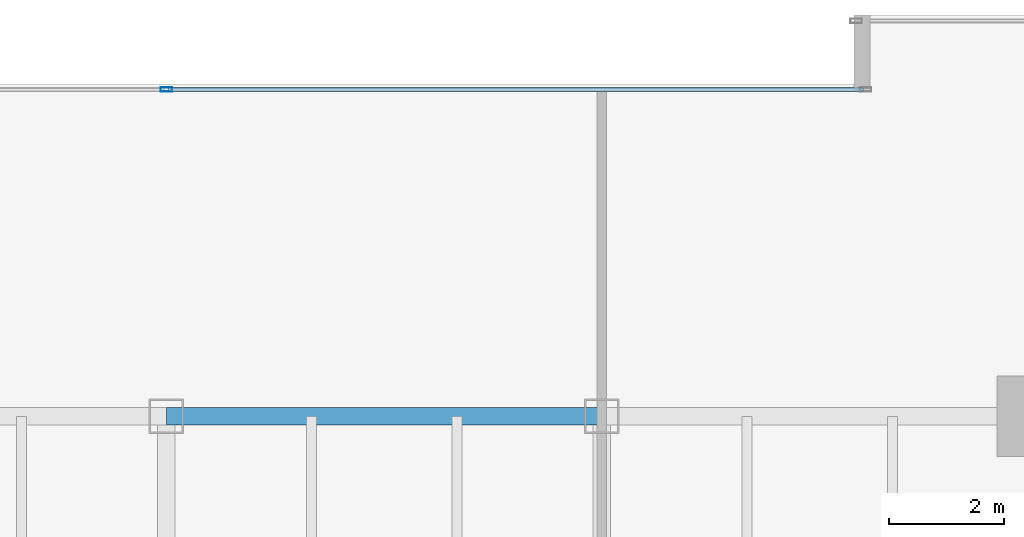
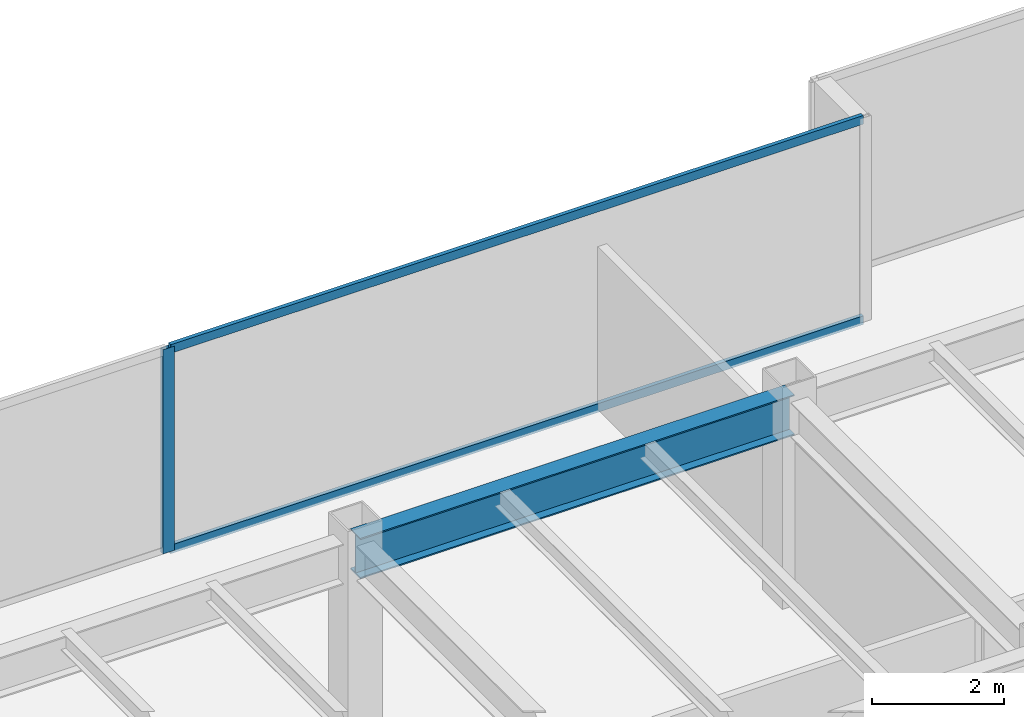
# One storey, part 18 of 35: 3 members, 1 beam, 1 element without a shape of its own.
"""IFC4 building model written with IfcOpenShell, lengths in metres."""

from ifc_helpers import new_model, si_unit, direction, frame, origin, origin_2d, place, context, subcontext, project, spatial, hollow_rectangle, i_section, extrude, source, transform, mapped, material, layer, layer_set, material_profile, profile_set, type_object, type_shapes, element, aggregate, save


model = new_model("IFC4")

# Units and contexts
model_context = context("Model", 3, precision=1e-05, world=origin(), true_north=direction((0.0, 1.0)))
body_context = subcontext(model_context, "Body", "Model", "MODEL_VIEW")
ifc_project = project(units=[si_unit("LENGTHUNIT", "METRE"), si_unit("AREAUNIT", "SQUARE_METRE"), si_unit("VOLUMEUNIT", "CUBIC_METRE"), si_unit("PLANEANGLEUNIT", "RADIAN"), si_unit("MASSUNIT", "GRAM", prefix="KILO")], contexts=[model_context])

# Site, building, storey
site_placement = place(None, origin())
site = spatial("IfcSite", under=ifc_project, at=site_placement, CompositionType="ELEMENT")
building_placement = place(site_placement, origin())
building = spatial("IfcBuilding", under=site, at=building_placement, Name="Haelvirn Gate Laboratories", CompositionType="ELEMENT")
storey_placement = place(building_placement, frame((0.0, 0.0, 66.199951171875)))
storey = spatial("IfcBuildingStorey", under=building, at=storey_placement, Name="L16", CompositionType="ELEMENT", Elevation=66.199951171875)

# Beam
ifc_material_1 = material(Name="Steel SM355", Category="steel")
ifc_material_profile_1 = material_profile(ifc_material_1, i_section(OverallWidth=0.300048828125, OverallDepth=0.75, WebThickness=0.013916015625, FlangeThickness=0.02392578125, at=origin_2d()), Name="H-750x300x14x24")
ifc_profile_set_1 = profile_set([ifc_material_profile_1], Name="Steel SM355")
beam_type = type_object("IfcBeamType", Name="BM-G-750", PredefinedType="BEAM", material=ifc_profile_set_1)
shared_shape_1 = source(origin(), body_context, "Body", "SweptSolid", [
    extrude(i_section(OverallWidth=0.300048828125, OverallDepth=0.75, WebThickness=0.013916015625, FlangeThickness=0.02392578125, at=origin_2d()), origin(), (0.0, 0.0, 1.0), 7.60009765625),
])
type_shapes(beam_type, [shared_shape_1])
beam_placement = place(storey_placement, frame((37.39990234375, 41.60009765625, 3.405029296875), z_axis=(1.0, 0.0, 0.0), x_axis=(0.0, 1.0, 0.0)))
element("IfcBeam", 1, at=beam_placement, inside=storey, type_object=beam_type, Name="L16 Primary Girder Y41.6 (37.4-45.0)", PredefinedType="BEAM", context=body_context, shape_type="MappedRepresentation", body=[
    mapped(shared_shape_1, transform((0.0, 0.0, 0.0), scale=1.0)),
])

# Curtain wall, members
ifc_material_2 = material(Name="Anodised bronze unitised aluminium & triple low-E glass", Category="aluminium")
ifc_layer = layer(ifc_material_2, 0.18408203125, Name="CW-SYS-2")
ifc_layer_set = layer_set([ifc_layer], Name="Anodised bronze unitised aluminium & triple low-E glass")
curtain_wall_type = type_object("IfcCurtainWallType", Name="CW-SYS-2", PredefinedType="NOTDEFINED", material=ifc_layer_set)
curtain_wall_placement = place(storey_placement, origin())
curtain_wall = element("IfcCurtainWall", 2, at=curtain_wall_placement, inside=storey, type_object=curtain_wall_type, Name="L16 Unitised Curtain Wall CW-L16-P0-E12-1", PredefinedType="NOTDEFINED")
ifc_material_3 = material(Name="Extruded aluminium 6063-T6 (anodised bronze)", Category="aluminium")
ifc_material_profile_2 = material_profile(ifc_material_3, hollow_rectangle(XDim=0.074951171875, YDim=0.199951171875, WallThickness=0.0048828125, at=origin_2d()), Name="CWM-200x75x5")
ifc_profile_set_2 = profile_set([ifc_material_profile_2], Name="Extruded aluminium 6063-T6 (anodised bronze)")
member_type_1 = type_object("IfcMemberType", Name="CWM-T200", PredefinedType="MULLION", material=ifc_profile_set_2)
shared_shape_2 = source(origin(), body_context, "Body", "SweptSolid", [
    extrude(hollow_rectangle(XDim=0.074951171875, YDim=0.199951171875, WallThickness=0.0048828125, at=origin_2d()), origin(), (0.0, 0.0, 1.0), 3.780029296875),
])
type_shapes(member_type_1, [shared_shape_2])
member_1_placement = place(storey_placement, frame((37.39990234375, 47.300048828125, 0.0), z_axis=(0.0, 0.0, 1.0), x_axis=(0.0, 1.0, 0.0)))
member_1 = element("IfcMember", 3, at=member_1_placement, type_object=member_type_1, Name="CW2 mullion 2", PredefinedType="MULLION", context=body_context, shape_type="MappedRepresentation", body=[
    mapped(shared_shape_2, transform((0.0, 0.0, 0.0), scale=1.0)),
])
ifc_material_profile_3 = material_profile(ifc_material_3, hollow_rectangle(XDim=0.070068359375, YDim=0.159912109375, WallThickness=0.0048828125, at=origin_2d()), Name="CWT-160x70x5")
ifc_profile_set_3 = profile_set([ifc_material_profile_3], Name="Extruded aluminium 6063-T6 (anodised bronze)")
member_type_2 = type_object("IfcMemberType", Name="CWT-T160", PredefinedType="USERDEFINED", material=ifc_profile_set_3)
shared_shape_3 = source(origin(), body_context, "Body", "SweptSolid", [
    extrude(hollow_rectangle(XDim=0.070068359375, YDim=0.159912109375, WallThickness=0.0048828125, at=origin_2d()), origin(), (0.0, 0.0, 1.0), 12.12744140625),
])
type_shapes(member_type_2, [shared_shape_3])
member_2_placement = place(storey_placement, frame((37.4375, 47.300048828125, 0.03515625), z_axis=(1.0, 0.0, 0.0), x_axis=(0.0, 1.0, 0.0)))
member_2 = element("IfcMember", 4, at=member_2_placement, type_object=member_type_2, Name="CW2 transom 2.1", ObjectType="TRANSOM", PredefinedType="USERDEFINED", context=body_context, shape_type="MappedRepresentation", body=[
    mapped(shared_shape_3, transform((0.0, 0.0, 0.0), scale=1.0)),
])
member_3_placement = place(storey_placement, frame((37.4375, 47.300048828125, 3.7451171875), z_axis=(1.0, 0.0, 0.0), x_axis=(0.0, 1.0, 0.0)))
member_3 = element("IfcMember", 5, at=member_3_placement, type_object=member_type_2, Name="CW2 transom 2.2", ObjectType="TRANSOM", PredefinedType="USERDEFINED", context=body_context, shape_type="MappedRepresentation", body=[
    mapped(shared_shape_3, transform((0.0, 0.0, 0.0), scale=1.0)),
])
aggregate(curtain_wall, [member_1, member_2, member_3])

save(model, "model.ifc")
